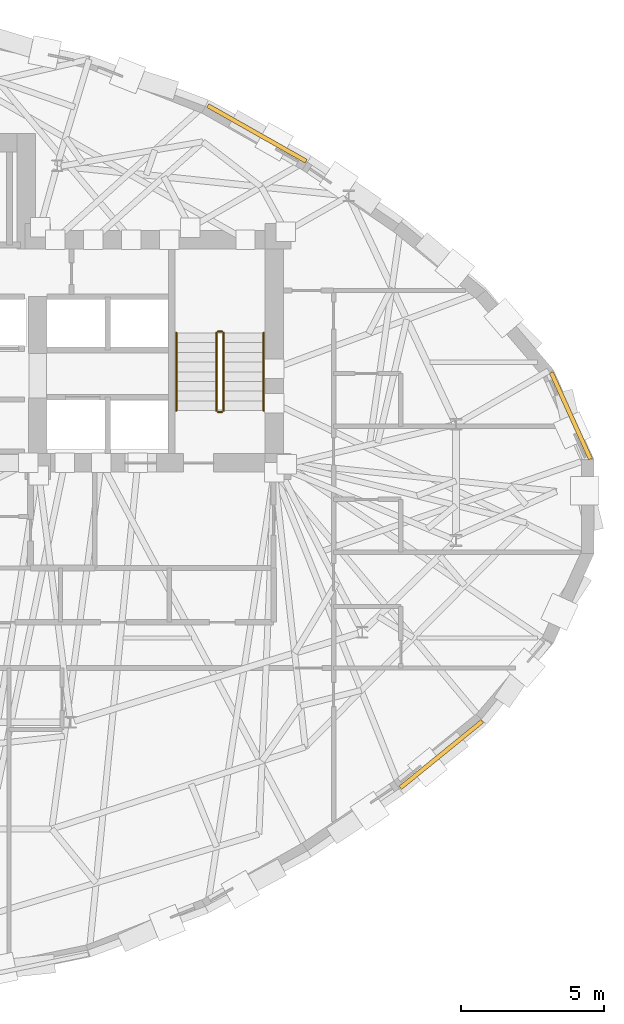
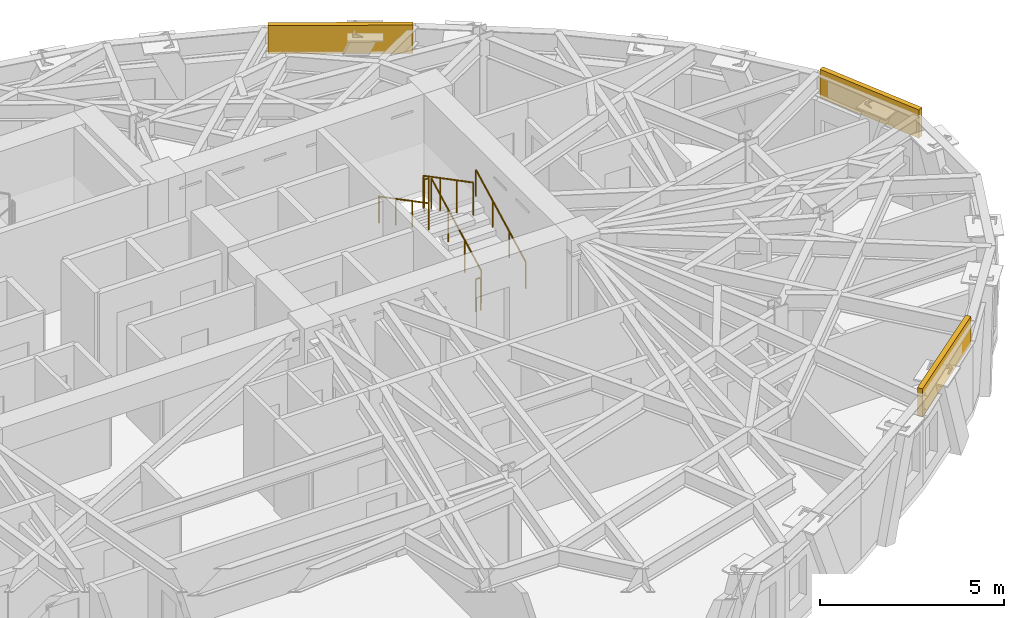
# One storey, part 13 of 14: 6 railings, 3 coverings.
"""IFC4 building model written with IfcOpenShell, lengths in metres."""

from ifc_helpers import new_model, si_unit, direction, frame, origin, origin_2d, place, context, subcontext, project, spatial, rectangle, circle, extrude, material, layer, layer_set, type_object, element, save


model = new_model("IFC4")

# Units and contexts
model_context = context("Model", 3, precision=1e-05, world=origin(), true_north=direction((0.0, 1.0)))
body_context = subcontext(model_context, "Body", "Model", "MODEL_VIEW")
ifc_project = project(units=[si_unit("LENGTHUNIT", "METRE"), si_unit("AREAUNIT", "SQUARE_METRE"), si_unit("VOLUMEUNIT", "CUBIC_METRE"), si_unit("PLANEANGLEUNIT", "RADIAN"), si_unit("MASSUNIT", "GRAM", prefix="KILO")], contexts=[model_context])

# Site, building, storey
site_placement = place(None, origin())
site = spatial("IfcSite", under=ifc_project, at=site_placement, CompositionType="ELEMENT")
building_placement = place(site_placement, origin())
building = spatial("IfcBuilding", under=site, at=building_placement, Name="Keldmark Tower", CompositionType="ELEMENT")
storey_placement = place(building_placement, frame((0.0, 0.0, 188.60009765625)))
storey = spatial("IfcBuildingStorey", under=building, at=storey_placement, Name="L52", CompositionType="ELEMENT", Elevation=188.60009765625)

# Coverings
ifc_material_1 = material(Name="Honed Kasota Buff Dolomitic Limestone", Category="masonry")
ifc_layer = layer(ifc_material_1, 0.074951171875)
ifc_layer_set = layer_set([ifc_layer], Name="Honed Kasota Buff Dolomitic Limestone")
covering_type = type_object("IfcCoveringType", Name="Kasota Buff Limestone Spandrel Cladding Band", PredefinedType="CLADDING", material=ifc_layer_set)
covering_1_placement = place(storey_placement, frame((23.848388671875, 3.16748046875, 2.239013671875), z_axis=(0.0, 0.0, 1.0), x_axis=(-0.4125798452, 0.910921440814, 0.0)))
element("IfcCovering", 1, at=covering_1_placement, inside=storey, type_object=covering_type, Name="L52 Kasota Limestone Spandrel Band 01", PredefinedType="CLADDING", context=body_context, shape_type="SweptSolid", body=[
    extrude(rectangle(XDim=3.319091796875, YDim=0.14990234375, at=origin_2d()), origin(), (0.0, 0.0, 1.0), 0.94091796875),
])
covering_2_placement = place(storey_placement, frame((12.869140625, 13.045654296875, 2.239013671875), z_axis=(0.0, 0.0, 1.0), x_axis=(-0.87035569594, 0.492423560103, 0.0)))
element("IfcCovering", 2, at=covering_2_placement, inside=storey, type_object=covering_type, Name="L52 Kasota Limestone Spandrel Band 05", PredefinedType="CLADDING", context=body_context, shape_type="SweptSolid", body=[
    extrude(rectangle(XDim=3.951171875, YDim=0.14990234375, at=origin_2d()), origin(), (0.0, 0.0, 1.0), 0.94091796875),
])
covering_3_placement = place(storey_placement, frame((19.31494140625, -8.67578125, 2.239013671875), z_axis=(0.0, 0.0, 1.0), x_axis=(0.776167473827, 0.630526805595, 0.0)))
element("IfcCovering", 3, at=covering_3_placement, inside=storey, type_object=covering_type, Name="L52 Kasota Limestone Spandrel Band 29", PredefinedType="CLADDING", context=body_context, shape_type="SweptSolid", body=[
    extrude(rectangle(XDim=3.68994140625, YDim=0.14990234375, at=origin_2d()), origin(), (0.0, 0.0, 1.0), 0.94091796875),
])

# Railings
ifc_material_2 = material(Name="Painted Steel ASTM A500 Grade B", Category="steel")
railing_type_1 = type_object("IfcRailingType", Name="Painted Steel Stair Well Guard 1100 mm", PredefinedType="GUARDRAIL", material=ifc_material_2)
railing_1_placement = place(storey_placement, frame((11.699951171875, 3.35009765625, 0.177734375)))
element("IfcRailing", 4, at=railing_1_placement, inside=storey, type_object=railing_type_1, Name="L52 ST2 stair guard 1", PredefinedType="GUARDRAIL", context=body_context, shape_type="SweptSolid", body=[
    extrude(circle(Radius=0.02392578125, at=origin_2d()), frame((0.0, 0.0, 1.076171875), z_axis=(0.0, 0.886183135912, 0.463335137482), x_axis=(-1.0, 0.0, 0.0)), (0.0, 0.0, 1.0), 3.0693359375),
    extrude(circle(Radius=0.02099609375, at=origin_2d()), origin(), (0.0, 0.0, 1.0), 1.052001953125),
    extrude(circle(Radius=0.02099609375, at=origin_2d()), frame((0.0, 0.90673828125, 0.47412109375)), (0.0, 0.0, 1.0), 1.052001953125),
    extrude(circle(Radius=0.02099609375, at=origin_2d()), frame((0.0, 1.813232421875, 0.947998046875)), (0.0, 0.0, 1.0), 1.052001953125),
    extrude(circle(Radius=0.02099609375, at=origin_2d()), frame((0.0, 2.719970703125, 1.422119140625)), (0.0, 0.0, 1.0), 1.052001953125),
])
railing_2_placement = place(storey_placement, frame((11.64990234375, 6.1201171875, 1.599853515625)))
element("IfcRailing", 5, at=railing_2_placement, inside=storey, type_object=railing_type_1, Name="L52 ST2 stair guard 2", PredefinedType="GUARDRAIL", context=body_context, shape_type="SweptSolid", body=[
    extrude(circle(Radius=0.02392578125, at=origin_2d()), frame((0.0, 0.0, 1.076171875), z_axis=(-1.0, 0.0, 0.0), x_axis=(0.0, -1.0, 0.0)), (0.0, 0.0, 1.0), 0.14990234375),
    extrude(circle(Radius=0.02099609375, at=origin_2d()), origin(), (0.0, 0.0, 1.0), 1.052001953125),
    extrude(circle(Radius=0.02099609375, at=origin_2d()), frame((-0.14990234375, 0.0, 0.0)), (0.0, 0.0, 1.0), 1.052001953125),
])
railing_3_placement = place(storey_placement, frame((11.449951171875, 6.070068359375, 1.777587890625)))
element("IfcRailing", 6, at=railing_3_placement, inside=storey, type_object=railing_type_1, Name="L52 ST2 stair guard 3", PredefinedType="GUARDRAIL", context=body_context, shape_type="SweptSolid", body=[
    extrude(circle(Radius=0.02392578125, at=origin_2d()), frame((0.0, 0.0, 1.076171875), z_axis=(0.0, -0.886150474775, 0.463397600399), x_axis=(1.0, 0.0, 0.0)), (0.0, 0.0, 1.0), 3.0693359375),
    extrude(circle(Radius=0.02099609375, at=origin_2d()), origin(), (0.0, 0.0, 1.0), 1.052001953125),
    extrude(circle(Radius=0.02099609375, at=origin_2d()), frame((0.0, -0.90673828125, 0.47412109375)), (0.0, 0.0, 1.0), 1.052001953125),
    extrude(circle(Radius=0.02099609375, at=origin_2d()), frame((0.0, -1.813232421875, 0.9482421875)), (0.0, 0.0, 1.0), 1.052001953125),
    extrude(circle(Radius=0.02099609375, at=origin_2d()), frame((0.0, -2.719970703125, 1.42236328125)), (0.0, 0.0, 1.0), 1.052001953125),
])
railing_4_placement = place(storey_placement, frame((11.64990234375, 3.300048828125, 0.0)))
element("IfcRailing", 7, at=railing_4_placement, inside=storey, type_object=railing_type_1, Name="L52 ST2 stair guard 4", PredefinedType="GUARDRAIL", context=body_context, shape_type="SweptSolid", body=[
    extrude(circle(Radius=0.02392578125, at=origin_2d()), frame((0.0, 0.0, 1.076171875), z_axis=(-1.0, 0.0, 0.0), x_axis=(0.0, -1.0, 0.0)), (0.0, 0.0, 1.0), 0.14990234375),
    extrude(circle(Radius=0.02099609375, at=origin_2d()), origin(), (0.0, 0.0, 1.0), 1.052001953125),
    extrude(circle(Radius=0.02099609375, at=origin_2d()), frame((-0.14990234375, 0.0, 0.0)), (0.0, 0.0, 1.0), 1.052001953125),
])
ifc_material_3 = material(Name="Stainless Steel AISI 316L", Category="steel")
railing_type_2 = type_object("IfcRailingType", Name="Stainless Steel Stair Handrail 900 mm", PredefinedType="HANDRAIL", material=ifc_material_3)
railing_5_placement = place(storey_placement, frame((13.10009765625, 3.35009765625, 0.177734375)))
element("IfcRailing", 8, at=railing_5_placement, inside=storey, type_object=railing_type_2, Name="L52 ST2 stair handrail 1", PredefinedType="HANDRAIL", context=body_context, shape_type="SweptSolid", body=[
    extrude(circle(Radius=0.02392578125, at=origin_2d()), frame((0.0, 0.0, 0.8759765625), z_axis=(0.0, 0.886183135912, 0.463335137482), x_axis=(-1.0, 0.0, 0.0)), (0.0, 0.0, 1.0), 3.0693359375),
    extrude(circle(Radius=0.02099609375, at=origin_2d()), origin(), (0.0, 0.0, 1.0), 0.851806640625),
    extrude(circle(Radius=0.02099609375, at=origin_2d()), frame((0.0, 0.90673828125, 0.47412109375)), (0.0, 0.0, 1.0), 0.851806640625),
    extrude(circle(Radius=0.02099609375, at=origin_2d()), frame((0.0, 1.813232421875, 0.947998046875)), (0.0, 0.0, 1.0), 0.851806640625),
    extrude(circle(Radius=0.02099609375, at=origin_2d()), frame((0.0, 2.719970703125, 1.422119140625)), (0.0, 0.0, 1.0), 0.851806640625),
])
railing_6_placement = place(storey_placement, frame((10.050048828125, 6.070068359375, 1.777587890625)))
element("IfcRailing", 9, at=railing_6_placement, inside=storey, type_object=railing_type_2, Name="L52 ST2 stair handrail 2", PredefinedType="HANDRAIL", context=body_context, shape_type="SweptSolid", body=[
    extrude(circle(Radius=0.02392578125, at=origin_2d()), frame((0.0, 0.0, 0.8759765625), z_axis=(0.0, -0.886150474775, 0.463397600399), x_axis=(1.0, 0.0, 0.0)), (0.0, 0.0, 1.0), 3.0693359375),
    extrude(circle(Radius=0.02099609375, at=origin_2d()), origin(), (0.0, 0.0, 1.0), 0.851806640625),
    extrude(circle(Radius=0.02099609375, at=origin_2d()), frame((0.0, -0.90673828125, 0.47412109375)), (0.0, 0.0, 1.0), 0.851806640625),
    extrude(circle(Radius=0.02099609375, at=origin_2d()), frame((0.0, -1.813232421875, 0.9482421875)), (0.0, 0.0, 1.0), 0.851806640625),
    extrude(circle(Radius=0.02099609375, at=origin_2d()), frame((0.0, -2.719970703125, 1.42236328125)), (0.0, 0.0, 1.0), 0.851806640625),
])

save(model, "model.ifc")
